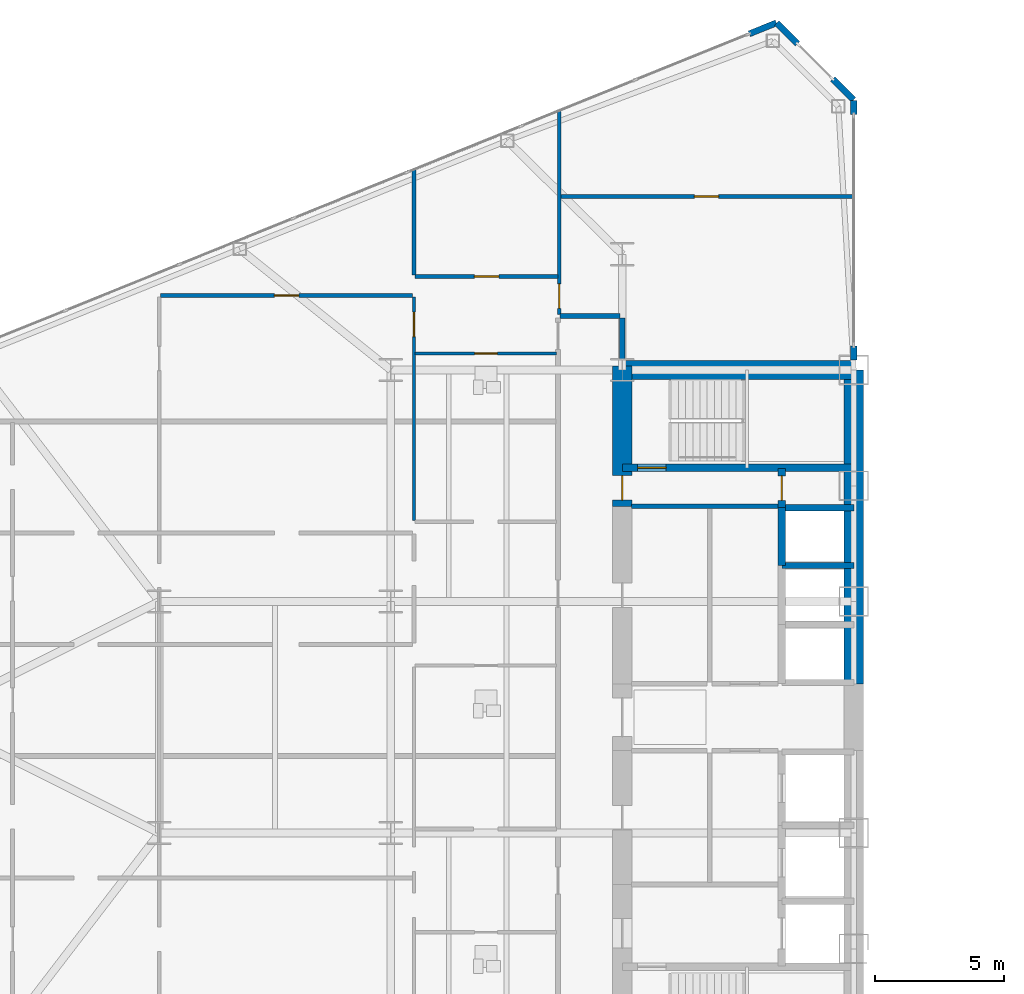
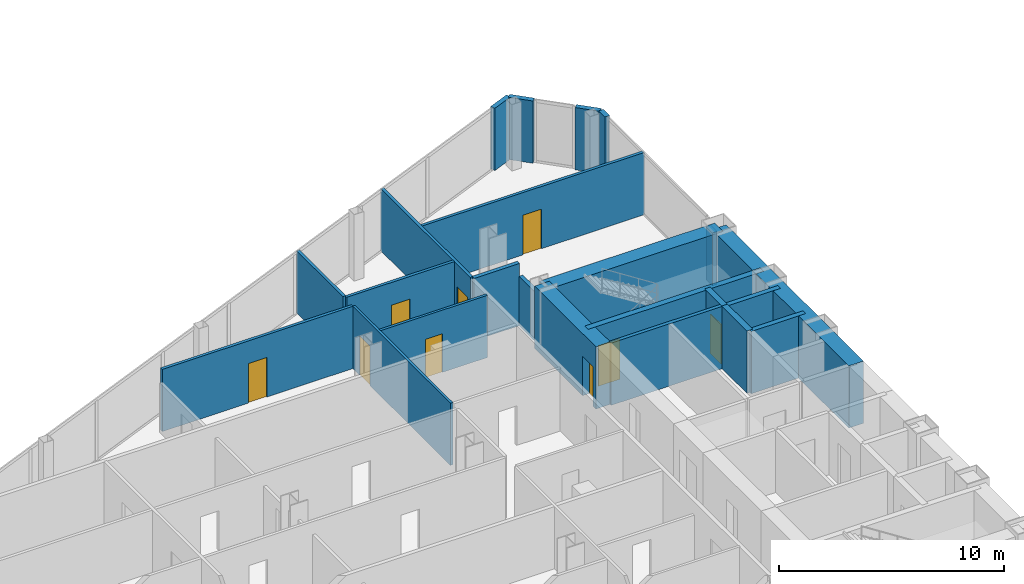
# One storey, part 19 of 25: 23 walls, 9 doors, 9 openings.
"""IFC4 building model written with IfcOpenShell, lengths in metres."""

import ifcopenshell
import ifcopenshell.guid

model = None  # the IFC model being written
_history = None  # IfcOwnerHistory: only IFC2X3 demands one
_inside = {}  # id of a spatial element -> (the spatial element, [elements in it])
_under = {}  # id of a project, library or spatial element -> (it, [spatial elements below it])
_declared = {}  # id of a project -> (the project, [libraries it declares])
_typed = {}  # id of a type object -> (the type object, [elements of that type])
_made_of = {}  # id of a material, layer set ... -> (it, [elements and type objects made of it])


def new_model(schema):
    """Start an empty IFC model of exactly this schema.

    Asked for "IFC4X3", IfcOpenShell would pick the latest addendum, in which some entities
    have other attributes; the version numbers below select the first issue.
    IFC2X3 requires an IfcOwnerHistory on every rooted entity: one is made here for all.
    """
    global model, _history
    if schema == "IFC4X3":
        model = ifcopenshell.file(schema_version=(4, 3, 0, 0))
    else:
        model = ifcopenshell.file(schema=schema)
    _inside.clear()
    _under.clear()
    _declared.clear()
    _typed.clear()
    _made_of.clear()
    _history = None
    if model.schema == "IFC2X3":
        org = make("IfcOrganization", Name="unknown")
        user = make(
            "IfcPersonAndOrganization",
            ThePerson=make("IfcPerson", FamilyName="unknown"),
            TheOrganization=org,
        )
        app = make(
            "IfcApplication",
            ApplicationDeveloper=org,
            Version="unknown",
            ApplicationFullName="unknown",
            ApplicationIdentifier="unknown",
        )
        _history = make(
            "IfcOwnerHistory",
            OwningUser=user,
            OwningApplication=app,
            ChangeAction="ADDED",
            CreationDate=0,
        )
    return model


def make(cls, **values):
    """One entity of the class cls with the attributes given. An attribute that is None is left unset."""
    return model.create_entity(
        cls, **{name: value for name, value in values.items() if value is not None}
    )


def rooted(cls, **values):
    """An entity with a GlobalId (a new one), such as an element, a storey or a relation."""
    return make(cls, GlobalId=ifcopenshell.guid.new(), OwnerHistory=_history, **values)


def si_unit(unit_type, name, prefix=None):
    """IfcSIUnit, for example si_unit("LENGTHUNIT", "METRE", prefix="MILLI")."""
    return make("IfcSIUnit", UnitType=unit_type, Prefix=prefix, Name=name)


def assignment(units):
    """IfcUnitAssignment: the units of a project."""
    return None if units is None else make("IfcUnitAssignment", Units=units)


def point(xyz):
    """IfcCartesianPoint."""
    return None if xyz is None else make("IfcCartesianPoint", Coordinates=xyz)


def direction(xyz):
    """IfcDirection."""
    return None if xyz is None else make("IfcDirection", DirectionRatios=xyz)


def frame(location, z_axis=None, x_axis=None):
    """IfcAxis2Placement3D, a coordinate frame: its origin and axes. An axis left out is left unset."""
    return make(
        "IfcAxis2Placement3D",
        Location=point(location),
        Axis=direction(z_axis),
        RefDirection=direction(x_axis),
    )


def frame_2d(location, x_axis=None):
    """IfcAxis2Placement2D, a coordinate frame in the plane: its origin and x axis."""
    return make(
        "IfcAxis2Placement2D", Location=point(location), RefDirection=direction(x_axis)
    )


def origin():
    """The frame at (0, 0, 0) with its axes left unset."""
    return frame((0.0, 0.0, 0.0))


def place(relative_to, where):
    """IfcLocalPlacement: puts the frame where relative to a parent placement (None: the world)."""
    return make(
        "IfcLocalPlacement", PlacementRelTo=relative_to, RelativePlacement=where
    )


def context(
    kind, dimensions, precision=None, world=None, true_north=None, identifier=None
):
    """IfcGeometricRepresentationContext, for example the 3D "Model" context."""
    return make(
        "IfcGeometricRepresentationContext",
        ContextIdentifier=identifier,
        ContextType=kind,
        CoordinateSpaceDimension=dimensions,
        Precision=precision,
        WorldCoordinateSystem=world,
        TrueNorth=true_north,
    )


def subcontext(parent, identifier, kind, view, scale=None):
    """IfcGeometricRepresentationSubContext, for example "Body" below "Model"."""
    return make(
        "IfcGeometricRepresentationSubContext",
        ContextIdentifier=identifier,
        ContextType=kind,
        ParentContext=parent,
        TargetScale=scale,
        TargetView=view,
    )


def project(units=None, contexts=None):
    """IfcProject with its units and contexts."""
    return rooted(
        "IfcProject",
        Name="project",
        RepresentationContexts=contexts,
        UnitsInContext=assignment(units),
    )


def spatial(cls, under=None, at=None, **own):
    """A site, building, storey or space (cls), placed at a placement, below another one or the project."""
    s = rooted(cls, ObjectPlacement=at, **own)
    if under is not None:
        _under.setdefault(under.id(), (under, []))[1].append(s)
    return s


def profile(cls, at=None, kind="AREA", **sizes):
    """A parametric profile (cls). Its sizes go by their IFC names, for example OverallWidth=200.0."""
    return make(cls, ProfileType=kind, Position=at, **sizes)


def rectangle(**sizes):
    """IfcRectangleProfileDef."""
    return profile("IfcRectangleProfileDef", **sizes)


def extrude(swept, where, along, depth):
    """IfcExtrudedAreaSolid: the profile swept, set in the frame where, extruded along a direction by depth."""
    return make(
        "IfcExtrudedAreaSolid",
        SweptArea=swept,
        Position=where,
        ExtrudedDirection=direction(along),
        Depth=depth,
    )


def shape(context_of_items, identifier, shape_type, items):
    """IfcShapeRepresentation: the items that make up one representation, for example the "Body"."""
    return make(
        "IfcShapeRepresentation",
        ContextOfItems=context_of_items,
        RepresentationIdentifier=identifier,
        RepresentationType=shape_type,
        Items=items,
    )


def source(mapping_origin, context_of_items, identifier, shape_type, items):
    """IfcRepresentationMap: a shape defined once, which mapped items show again and again."""
    return make(
        "IfcRepresentationMap",
        MappingOrigin=mapping_origin,
        MappedRepresentation=shape(context_of_items, identifier, shape_type, items),
    )


def transform(
    local_origin,
    x_axis=None,
    y_axis=None,
    z_axis=None,
    scale=None,
    scale2=None,
    scale3=None,
    uniform=True,
):
    """IfcCartesianTransformationOperator3D, or its non-uniform kind. x_axis, y_axis, z_axis: its Axis1, 2, 3."""
    if uniform:
        return make(
            "IfcCartesianTransformationOperator3D",
            Axis1=direction(x_axis),
            Axis2=direction(y_axis),
            LocalOrigin=point(local_origin),
            Scale=scale,
            Axis3=direction(z_axis),
        )
    return make(
        "IfcCartesianTransformationOperator3DnonUniform",
        Axis1=direction(x_axis),
        Axis2=direction(y_axis),
        LocalOrigin=point(local_origin),
        Scale=scale,
        Axis3=direction(z_axis),
        Scale2=scale2,
        Scale3=scale3,
    )


def mapped(mapping_source, mapping_target):
    """IfcMappedItem: shows the shape of a source again, moved by a transform."""
    return make(
        "IfcMappedItem", MappingSource=mapping_source, MappingTarget=mapping_target
    )


def material(Name=None, Category=None):
    """IfcMaterial."""
    return make("IfcMaterial", Name=Name, Category=Category)


def layer(
    of_material, thickness, ventilated=None, Name=None, Category=None, Priority=None
):
    """IfcMaterialLayer: one layer of a wall or slab, of a material (None: an air gap)."""
    return make(
        "IfcMaterialLayer",
        Material=of_material,
        LayerThickness=thickness,
        IsVentilated=ventilated,
        Name=Name,
        Category=Category,
        Priority=Priority,
    )


def layer_set(layers, Name=None):
    """IfcMaterialLayerSet."""
    return make("IfcMaterialLayerSet", MaterialLayers=layers, LayerSetName=Name)


def made_of(thing, what):
    """Note that an element or type object is made of a material, layer set ...; save() writes the relation."""
    if what is not None:
        _made_of.setdefault(what.id(), (what, []))[1].append(thing)
    return thing


def type_object(cls, material=None, **own):
    """A type object (cls), such as IfcWallType, which elements share."""
    return made_of(rooted(cls, **own), material)


def type_shapes(of_type, sources):
    """Give a type object the sources (RepresentationMaps) that its elements show as mapped items."""
    of_type.RepresentationMaps = sources


def element(
    cls,
    number,
    at=None,
    inside=None,
    cuts=None,
    type_object=None,
    material=None,
    context=None,
    identifier="Body",
    shape_type=None,
    held_by="IfcProductDefinitionShape",
    body=None,
    shapes=None,
    **own,
):
    """One element of the class cls, such as IfcWall. Its Tag is "e" and its number.

    at: its placement. inside: the storey or other place that contains it. cuts: it is an
    opening in that element (IfcRelVoidsElement). A single representation is given by context,
    identifier, shape_type and body (its items); several are given by shapes. held_by: the class
    of the entity that holds the representations. save() writes the other relations.
    """
    e = rooted(cls, Tag="e%d" % number, ObjectPlacement=at, **own)
    if body is not None:
        shapes = [shape(context, identifier, shape_type, body)]
    if shapes is not None:
        e.Representation = make(held_by, Representations=shapes)
    if inside is not None:
        _inside.setdefault(inside.id(), (inside, []))[1].append(e)
    if cuts is not None:
        rooted(
            "IfcRelVoidsElement", RelatingBuildingElement=cuts, RelatedOpeningElement=e
        )
    if type_object is not None:
        _typed.setdefault(type_object.id(), (type_object, []))[1].append(e)
    return made_of(e, material)


def fill(opening, filler):
    """IfcRelFillsElement: the door or window that sits in an opening."""
    return rooted(
        "IfcRelFillsElement",
        RelatingOpeningElement=opening,
        RelatedBuildingElement=filler,
    )


def aggregate(whole, parts):
    """IfcRelAggregates: a whole, such as a stair, and the parts it consists of."""
    return rooted("IfcRelAggregates", RelatingObject=whole, RelatedObjects=parts)


def save(model, path):
    """Write the relations noted so far, then the file.

    IfcRelAggregates (storeys below a building ...), IfcRelContainedInSpatialStructure (elements
    in a storey), IfcRelDefinesByType, IfcRelAssociatesMaterial and IfcRelDeclares: one each for
    every whole, place, type object, material and project.
    """
    for whole, parts in _under.values():
        aggregate(whole, parts)
    for where, things in _inside.values():
        rooted(
            "IfcRelContainedInSpatialStructure",
            RelatedElements=things,
            RelatingStructure=where,
        )
    for kind, things in _typed.values():
        rooted("IfcRelDefinesByType", RelatedObjects=things, RelatingType=kind)
    for what, things in _made_of.values():
        rooted("IfcRelAssociatesMaterial", RelatedObjects=things, RelatingMaterial=what)
    for by, libraries in _declared.values():
        rooted("IfcRelDeclares", RelatingContext=by, RelatedDefinitions=libraries)
    model.write(path)


model = new_model("IFC4")

# Units and contexts
model_context = context("Model", 3, precision=1e-05, world=origin(), true_north=direction((0.0, 1.0)))
body_context = subcontext(model_context, "Body", "Model", "MODEL_VIEW")
ifc_project = project(units=[si_unit("LENGTHUNIT", "METRE"), si_unit("AREAUNIT", "SQUARE_METRE"), si_unit("VOLUMEUNIT", "CUBIC_METRE"), si_unit("PLANEANGLEUNIT", "RADIAN"), si_unit("MASSUNIT", "GRAM", prefix="KILO")], contexts=[model_context])

# Site, building, storey
site_placement = place(None, origin())
site = spatial("IfcSite", under=ifc_project, at=site_placement, CompositionType="ELEMENT")
building_placement = place(site_placement, origin())
building = spatial("IfcBuilding", under=site, at=building_placement, Name="Seokmaru Belvedere", CompositionType="ELEMENT")
storey_placement = place(building_placement, frame((0.0, 0.0, 40.5)))
storey = spatial("IfcBuildingStorey", under=building, at=storey_placement, Name="L10", CompositionType="ELEMENT", Elevation=40.5)

# Wall, opening, door
ifc_material_1 = material(Name="Fire-Rated Gypsum Shaftwall")
ifc_layer_1 = layer(ifc_material_1, 0.14990234375)
ifc_layer_set_1 = layer_set([ifc_layer_1], Name="Fire-Rated Gypsum Shaftwall")
wall_type_1 = type_object("IfcWallType", Name="Apartment Fire-Acoustic Room Partition 150", PredefinedType="PARTITIONING", material=ifc_layer_set_1)
wall_1_placement = place(storey_placement, frame((-54.449951171875, 16.39990234375, 0.0), z_axis=(0.0, 0.0, 1.0), x_axis=(1.0, 0.0, 0.0)))
wall_1 = element("IfcWall", 1, at=wall_1_placement, inside=storey, type_object=wall_type_1, Name="L10 Interior Partition 039", PredefinedType="PARTITIONING", context=body_context, shape_type="SweptSolid", body=[
    extrude(rectangle(XDim=9.800048828125, YDim=0.14990234375, at=frame_2d((4.89990234375, 0.0))), origin(), (0.0, 0.0, 1.0), 3.3798828125),
])
opening_1_placement = place(wall_1_placement, frame((4.425048828125, 0.0, 0.0)))
opening_1 = element("IfcOpeningElement", 2, at=opening_1_placement, cuts=wall_1, Name="Opening D05", PredefinedType="OPENING", context=body_context, shape_type="SweptSolid", body=[
    extrude(rectangle(XDim=0.949951171875, YDim=2.14990234375, at=frame_2d((0.47509765625, 1.074951171875))), frame((0.0, 0.0849609375, 0.0), z_axis=(0.0, -1.0, 0.0), x_axis=(1.0, 0.0, 0.0)), (0.0, 0.0, 1.0), 0.169921875),
])
ifc_material_2 = material(Name="Engineered White Oak Timber", Category="wood")
door_type_1 = type_object("IfcDoorType", Name="Apartment Interior Fire-Rated Oak Door 950x2150", OperationType="NOTDEFINED", PredefinedType="DOOR", material=ifc_material_2)
shared_shape_1 = source(origin(), body_context, "Body", "SweptSolid", [
    extrude(rectangle(XDim=0.949951171875, YDim=2.14990234375, at=frame_2d((0.47509765625, 1.074951171875))), frame((0.0, 0.02490234375, 0.0), z_axis=(0.0, -1.0, 0.0), x_axis=(1.0, 0.0, 0.0)), (0.0, 0.0, 1.0), 0.050048828125),
])
type_shapes(door_type_1, [shared_shape_1])
door_1_placement = place(opening_1_placement, origin())
door_1 = element("IfcDoor", 3, at=door_1_placement, inside=storey, type_object=door_type_1, Name="L10 Interior Door 038", OperationType="SINGLE_SWING_LEFT", OverallHeight=2.14990234375, OverallWidth=0.949951171875, PredefinedType="DOOR", context=body_context, shape_type="MappedRepresentation", body=[
    mapped(shared_shape_1, transform((0.0, 0.0, 0.0), scale=1.0)),
])
fill(opening_1, door_1)

wall_2_placement = place(storey_placement, frame((-44.550048828125, 17.139892578125, 0.0), z_axis=(0.0, 0.0, 1.0), x_axis=(1.0, 0.0, 0.0)))
wall_2 = element("IfcWall", 4, at=wall_2_placement, inside=storey, type_object=wall_type_1, Name="L10 Interior Partition 040", PredefinedType="PARTITIONING", context=body_context, shape_type="SweptSolid", body=[
    extrude(rectangle(XDim=5.550048828125, YDim=0.14990234375, at=frame_2d((2.77490234375, 0.0))), origin(), (0.0, 0.0, 1.0), 3.3798828125),
])
opening_2_placement = place(wall_2_placement, frame((2.300048828125, 0.0, 0.0)))
opening_2 = element("IfcOpeningElement", 5, at=opening_2_placement, cuts=wall_2, Name="Opening D05", PredefinedType="OPENING", context=body_context, shape_type="SweptSolid", body=[
    extrude(rectangle(XDim=0.949951171875, YDim=2.14990234375, at=frame_2d((0.47509765625, 1.074951171875))), frame((0.0, 0.0849609375, 0.0), z_axis=(0.0, -1.0, 0.0), x_axis=(1.0, 0.0, 0.0)), (0.0, 0.0, 1.0), 0.169921875),
])
door_2_placement = place(opening_2_placement, origin())
door_2 = element("IfcDoor", 6, at=door_2_placement, inside=storey, type_object=door_type_1, Name="L10 Interior Door 034", OperationType="SINGLE_SWING_LEFT", OverallHeight=2.14990234375, OverallWidth=0.949951171875, PredefinedType="DOOR", context=body_context, shape_type="MappedRepresentation", body=[
    mapped(shared_shape_1, transform((0.0, 0.0, 0.0), scale=1.0)),
])
fill(opening_2, door_2)

wall_3_placement = place(storey_placement, frame((-38.89990234375, 20.25, 0.0), z_axis=(0.0, 0.0, 1.0), x_axis=(1.0, 0.0, 0.0)))
wall_3 = element("IfcWall", 7, at=wall_3_placement, inside=storey, type_object=wall_type_1, Name="L10 Interior Partition 043", PredefinedType="PARTITIONING", context=body_context, shape_type="SweptSolid", body=[
    extrude(rectangle(XDim=11.434814453125, YDim=0.14990234375, at=frame_2d((5.71728515625, 0.0))), origin(), (0.0, 0.0, 1.0), 3.3798828125),
])
opening_3_placement = place(wall_3_placement, frame((5.199951171875, 0.0, 0.0)))
opening_3 = element("IfcOpeningElement", 8, at=opening_3_placement, cuts=wall_3, Name="Opening D05", PredefinedType="OPENING", context=body_context, shape_type="SweptSolid", body=[
    extrude(rectangle(XDim=0.949951171875, YDim=2.14990234375, at=frame_2d((0.47509765625, 1.074951171875))), frame((0.0, 0.0849609375, 0.0), z_axis=(0.0, -1.0, 0.0), x_axis=(1.0, 0.0, 0.0)), (0.0, 0.0, 1.0), 0.169921875),
])
door_3_placement = place(opening_3_placement, origin())
door_3 = element("IfcDoor", 9, at=door_3_placement, inside=storey, type_object=door_type_1, Name="L10 Interior Door 039", OperationType="SINGLE_SWING_RIGHT", OverallHeight=2.14990234375, OverallWidth=0.949951171875, PredefinedType="DOOR", context=body_context, shape_type="MappedRepresentation", body=[
    mapped(shared_shape_1, transform((0.0, 0.0, 0.0), scale=1.0)),
])
fill(opening_3, door_3)

# Wall
wall_4_placement = place(storey_placement, frame((-44.60009765625, 17.195068359375, 0.0), z_axis=(0.0, 0.0, 1.0), x_axis=(0.0, 1.0, 0.0)))
element("IfcWall", 10, at=wall_4_placement, inside=storey, type_object=wall_type_1, Name="L10 Interior Partition 051", PredefinedType="PARTITIONING", context=body_context, shape_type="SweptSolid", body=[
    extrude(rectangle(XDim=4.1328125, YDim=0.14990234375, at=frame_2d((2.06640625, 0.0))), origin(), (0.0, 0.0, 1.0), 3.3798828125),
])

# Wall, opening, door
wall_5_placement = place(storey_placement, frame((-38.949951171875, 15.64990234375, 0.0), z_axis=(0.0, 0.0, 1.0), x_axis=(0.0, 1.0, 0.0)))
wall_5 = element("IfcWall", 11, at=wall_5_placement, inside=storey, type_object=wall_type_1, Name="L10 Interior Partition 054", PredefinedType="PARTITIONING", context=body_context, shape_type="SweptSolid", body=[
    extrude(rectangle(XDim=7.965087890625, YDim=0.14990234375, at=frame_2d((3.982421875, 0.0))), origin(), (0.0, 0.0, 1.0), 3.3798828125),
])
opening_4_placement = place(wall_5_placement, frame((0.24755859375, 0.0, 0.0)))
opening_4 = element("IfcOpeningElement", 12, at=opening_4_placement, cuts=wall_5, Name="Opening D05", PredefinedType="OPENING", context=body_context, shape_type="SweptSolid", body=[
    extrude(rectangle(XDim=0.949951171875, YDim=2.14990234375, at=frame_2d((0.47509765625, 1.074951171875))), frame((0.0, 0.0849609375, 0.0), z_axis=(0.0, -1.0, 0.0), x_axis=(1.0, 0.0, 0.0)), (0.0, 0.0, 1.0), 0.169921875),
])
door_4_placement = place(opening_4_placement, origin())
door_4 = element("IfcDoor", 13, at=door_4_placement, inside=storey, type_object=door_type_1, Name="L10 Interior Door 036", OperationType="SINGLE_SWING_LEFT", OverallHeight=2.14990234375, OverallWidth=0.949951171875, PredefinedType="DOOR", context=body_context, shape_type="MappedRepresentation", body=[
    mapped(shared_shape_1, transform((0.0, 0.0, 0.0), scale=1.0)),
])
fill(opening_4, door_4)

# Walls
ifc_layer_2 = layer(ifc_material_1, 0.179931640625)
ifc_layer_set_2 = layer_set([ifc_layer_2], Name="Fire-Rated Gypsum Shaftwall")
wall_type_2 = type_object("IfcWallType", Name="Core Service Fire Partition 180", PredefinedType="PARTITIONING", material=ifc_layer_set_2)
wall_6_placement = place(storey_placement, frame((-36.14990234375, 8.199951171875, 0.0), z_axis=(0.0, 0.0, 1.0), x_axis=(1.0, 0.0, 0.0)))
element("IfcWall", 14, at=wall_6_placement, inside=storey, type_object=wall_type_2, Name="L10 West Smokeproof Vestibule Partition", PredefinedType="PARTITIONING", context=body_context, shape_type="SweptSolid", body=[
    extrude(rectangle(XDim=5.699951171875, YDim=0.179931640625, at=frame_2d((2.85009765625, 0.0))), origin(), (0.0, 0.0, 1.0), 3.3798828125),
])
ifc_material_3 = material(Name="Concrete C50 (50 MPa)", Category="concrete")
ifc_layer_3 = layer(ifc_material_3, 0.25)
ifc_layer_set_3 = layer_set([ifc_layer_3], Name="Concrete C50 (50 MPa)")
wall_type_3 = type_object("IfcWallType", Name="Hoistway Transverse Concrete Divider Wall 250", PredefinedType="SHEAR", material=ifc_layer_set_3)
for number, where, z_axis, x_axis, name in (
    (15, (-30.300048828125, 5.89990234375, 0.0), (0.0, 0.0, 1.0), (1.0, 0.0, 0.0), "L10 West Hoistway Divider Core Wall 6"),
    (16, (-30.300048828125, 8.14990234375, 0.0), (0.0, 0.0, 1.0), (1.0, 0.0, 0.0), "L10 West Hoistway Divider Core Wall 7"),
):
    element("IfcWall", number, at=place(storey_placement, frame(where, z_axis=z_axis, x_axis=x_axis)), inside=storey, type_object=wall_type_3, Name=name, PredefinedType="SHEAR", context=body_context, shape_type="SweptSolid", body=[
        extrude(rectangle(XDim=2.800048828125, YDim=0.25, at=frame_2d((1.39990234375, 0.0))), origin(), (0.0, 0.0, 1.0), 3.3798828125),
    ])
ifc_layer_4 = layer(ifc_material_1, 0.199951171875)
ifc_layer_set_4 = layer_set([ifc_layer_4], Name="Fire-Rated Gypsum Shaftwall")
wall_type_4 = type_object("IfcWallType", Name="Inter-Tenancy Fire Compartment Partition 200", PredefinedType="PARTITIONING", material=ifc_layer_set_4)
wall_7_placement = place(storey_placement, frame((-38.9150390625, 15.60009765625, 0.0), z_axis=(0.0, 0.0, 1.0), x_axis=(1.0, 0.0, 0.0)))
element("IfcWall", 17, at=wall_7_placement, inside=storey, type_object=wall_type_4, Name="L10 Interior Partition 037", PredefinedType="PARTITIONING", context=body_context, shape_type="SweptSolid", body=[
    extrude(rectangle(XDim=2.330078125, YDim=0.199951171875, at=frame_2d((1.1650390625, 0.0))), origin(), (0.0, 0.0, 1.0), 3.3798828125),
])
wall_8_placement = place(storey_placement, frame((-36.5, 13.8798828125, 0.0), z_axis=(0.0, 0.0, 1.0), x_axis=(0.0, 1.0, 0.0)))
element("IfcWall", 18, at=wall_8_placement, inside=storey, type_object=wall_type_4, Name="L10 Interior Partition 056", PredefinedType="PARTITIONING", context=body_context, shape_type="SweptSolid", body=[
    extrude(rectangle(XDim=1.635009765625, YDim=0.199951171875, at=frame_2d((0.8173828125, 0.0))), origin(), (0.0, 0.0, 1.0), 2.679931640625),
])

# Wall, opening, door
ifc_layer_5 = layer(ifc_material_3, 0.300048828125)
ifc_layer_set_5 = layer_set([ifc_layer_5], Name="Concrete C50 (50 MPa)")
wall_type_5 = type_object("IfcWallType", Name="Internal Core Stair and Hoistway Wall 300", PredefinedType="SHEAR", material=ifc_layer_set_5)
wall_9_placement = place(storey_placement, frame((-36.5, 9.699951171875, 0.0), z_axis=(0.0, 0.0, 1.0), x_axis=(1.0, 0.0, 0.0)))
wall_9 = element("IfcWall", 19, at=wall_9_placement, inside=storey, type_object=wall_type_5, Name="L10 West Stair ST-2 Enclosure Wall", PredefinedType="SHEAR", context=body_context, shape_type="SweptSolid", body=[
    extrude(rectangle(XDim=9.0, YDim=0.300048828125, at=frame_2d((4.5, 0.0))), origin(), (0.0, 0.0, 1.0), 3.3798828125),
])
opening_5_placement = place(wall_9_placement, frame((0.60009765625, 0.0, 0.0)))
opening_5 = element("IfcOpeningElement", 20, at=opening_5_placement, cuts=wall_9, Name="Opening D01", PredefinedType="OPENING", context=body_context, shape_type="SweptSolid", body=[
    extrude(rectangle(XDim=1.10009765625, YDim=2.199951171875, at=frame_2d((0.550048828125, 1.10009765625))), frame((0.0, 0.16015625, 0.0), z_axis=(0.0, -1.0, 0.0), x_axis=(1.0, 0.0, 0.0)), (0.0, 0.0, 1.0), 0.320068359375),
])
ifc_material_4 = material(Name="Fire-Rated Steel Leaf", Category="steel")
door_type_2 = type_object("IfcDoorType", Name="Special Escape Stair Smokeproof Fire Door 1100x2200", OperationType="NOTDEFINED", PredefinedType="DOOR", material=ifc_material_4)
shared_shape_2 = source(origin(), body_context, "Body", "SweptSolid", [
    extrude(rectangle(XDim=1.10009765625, YDim=2.199951171875, at=frame_2d((0.550048828125, 1.10009765625))), frame((0.0, 0.02490234375, 0.0), z_axis=(0.0, -1.0, 0.0), x_axis=(1.0, 0.0, 0.0)), (0.0, 0.0, 1.0), 0.050048828125),
])
type_shapes(door_type_2, [shared_shape_2])
door_5_placement = place(opening_5_placement, origin())
door_5 = element("IfcDoor", 21, at=door_5_placement, inside=storey, type_object=door_type_2, Name="L10 West Special Escape Stair ST-2 Door", OperationType="SINGLE_SWING_RIGHT", OverallHeight=2.199951171875, OverallWidth=1.10009765625, PredefinedType="DOOR", context=body_context, shape_type="MappedRepresentation", body=[
    mapped(shared_shape_2, transform((0.0, 0.0, 0.0), scale=1.0)),
])
fill(opening_5, door_5)

# Wall
wall_10_placement = place(storey_placement, frame((-30.300048828125, 5.89990234375, 0.0), z_axis=(0.0, 0.0, 1.0), x_axis=(0.0, 1.0, 0.0)))
element("IfcWall", 22, at=wall_10_placement, inside=storey, type_object=wall_type_5, Name="L10 West North Hoistway Wall OBS", PredefinedType="SHEAR", context=body_context, shape_type="SweptSolid", body=[
    extrude(rectangle(XDim=2.25, YDim=0.300048828125, at=frame_2d((1.125, 0.0))), origin(), (0.0, 0.0, 1.0), 3.3798828125),
])

# Wall, opening, door
wall_11_placement = place(storey_placement, frame((-30.300048828125, 8.14990234375, 0.0), z_axis=(0.0, 0.0, 1.0), x_axis=(0.0, 1.0, 0.0)))
wall_11 = element("IfcWall", 23, at=wall_11_placement, inside=storey, type_object=wall_type_5, Name="L10 West Electrical Riser Front Wall", PredefinedType="SHEAR", context=body_context, shape_type="SweptSolid", body=[
    extrude(rectangle(XDim=1.530029296875, YDim=0.300048828125, at=frame_2d((0.76513671875, 0.0))), origin(), (0.0, 0.0, 1.0), 3.3798828125),
])
opening_6_placement = place(wall_11_placement, frame((0.284912109375, 0.0, 0.0)))
opening_6 = element("IfcOpeningElement", 24, at=opening_6_placement, cuts=wall_11, Name="Opening D04", PredefinedType="OPENING", context=body_context, shape_type="SweptSolid", body=[
    extrude(rectangle(XDim=0.949951171875, YDim=2.14990234375, at=frame_2d((0.47509765625, 1.074951171875))), frame((0.0, 0.16015625, 0.0), z_axis=(0.0, -1.0, 0.0), x_axis=(1.0, 0.0, 0.0)), (0.0, 0.0, 1.0), 0.320068359375),
])
door_type_3 = type_object("IfcDoorType", Name="Core Service Room Fire Door 950x2150", OperationType="NOTDEFINED", PredefinedType="DOOR", material=ifc_material_4)
shared_shape_3 = source(origin(), body_context, "Body", "SweptSolid", [
    extrude(rectangle(XDim=0.949951171875, YDim=2.14990234375, at=frame_2d((0.47509765625, 1.074951171875))), frame((0.0, 0.02490234375, 0.0), z_axis=(0.0, -1.0, 0.0), x_axis=(1.0, 0.0, 0.0)), (0.0, 0.0, 1.0), 0.050048828125),
])
type_shapes(door_type_3, [shared_shape_3])
door_6_placement = place(opening_6_placement, origin())
door_6 = element("IfcDoor", 25, at=door_6_placement, inside=storey, type_object=door_type_3, Name="L10 West Electrical Riser Access Door", OperationType="SINGLE_SWING_LEFT", OverallHeight=2.14990234375, OverallWidth=0.949951171875, PredefinedType="DOOR", context=body_context, shape_type="MappedRepresentation", body=[
    mapped(shared_shape_3, transform((0.0, 0.0, 0.0), scale=1.0)),
])
fill(opening_6, door_6)

# Walls
ifc_material_5 = material(Name="Concrete C60 (60 MPa)", Category="concrete")
ifc_layer_6 = layer(ifc_material_5, 0.75)
ifc_layer_set_6 = layer_set([ifc_layer_6], Name="Concrete C60 (60 MPa)")
wall_type_6 = type_object("IfcWallType", Name="Lower Tower Reinforced Concrete Core Wall 750", PredefinedType="SHEAR", material=ifc_layer_set_6)
wall_12_placement = place(storey_placement, frame((-27.5, 1.300048828125, 0.0), z_axis=(0.0, 0.0, 1.0), x_axis=(0.0, 1.0, 0.0)))
element("IfcWall", 26, at=wall_12_placement, inside=storey, type_object=wall_type_6, Name="L10 West Portal Spine Core Wall North", PredefinedType="SHEAR", context=body_context, shape_type="SweptSolid", body=[
    extrude(rectangle(XDim=12.199951171875, YDim=0.75, at=frame_2d((6.10009765625, 0.0))), origin(), (0.0, 0.0, 1.0), 3.3798828125),
])
wall_13_placement = place(storey_placement, frame((-36.5, 13.5, 0.0), z_axis=(0.0, 0.0, 1.0), x_axis=(1.0, 0.0, 0.0)))
element("IfcWall", 27, at=wall_13_placement, inside=storey, type_object=wall_type_6, Name="L10 West North Core Wall", PredefinedType="SHEAR", context=body_context, shape_type="SweptSolid", body=[
    extrude(rectangle(XDim=9.0, YDim=0.75, at=frame_2d((4.5, 0.0))), origin(), (0.0, 0.0, 1.0), 3.3798828125),
])

# Wall, opening, door
wall_14_placement = place(storey_placement, frame((-36.5, 8.199951171875, 0.0), z_axis=(0.0, 0.0, 1.0), x_axis=(0.0, 1.0, 0.0)))
wall_14 = element("IfcWall", 28, at=wall_14_placement, inside=storey, type_object=wall_type_6, Name="L10 West West Core Wall VST", PredefinedType="SHEAR", context=body_context, shape_type="SweptSolid", body=[
    extrude(rectangle(XDim=5.449951171875, YDim=0.75, at=frame_2d((2.72509765625, 0.0))), origin(), (0.0, 0.0, 1.0), 3.3798828125),
])
opening_7_placement = place(wall_14_placement, frame((0.2451171875, 0.0, 0.0)))
opening_7 = element("IfcOpeningElement", 29, at=opening_7_placement, cuts=wall_14, Name="Opening D04", PredefinedType="OPENING", context=body_context, shape_type="SweptSolid", body=[
    extrude(rectangle(XDim=0.949951171875, YDim=2.14990234375, at=frame_2d((0.47509765625, 1.074951171875))), frame((0.0, 0.385009765625, 0.0), z_axis=(0.0, -1.0, 0.0), x_axis=(1.0, 0.0, 0.0)), (0.0, 0.0, 1.0), 0.77001953125),
])
door_7_placement = place(opening_7_placement, frame((0.949951171875, 0.0, 0.0), z_axis=(0.0, 0.0, 1.0), x_axis=(-1.0, 0.0, 0.0)))
door_7 = element("IfcDoor", 30, at=door_7_placement, inside=storey, type_object=door_type_3, Name="L10 West Smokeproof Vestibule Door", OperationType="SINGLE_SWING_RIGHT", OverallHeight=2.14990234375, OverallWidth=0.949951171875, PredefinedType="DOOR", context=body_context, shape_type="MappedRepresentation", body=[
    mapped(shared_shape_3, transform((0.0, 0.0, 0.0), scale=1.0)),
])
fill(opening_7, door_7)

ifc_layer_7 = layer(ifc_material_1, 0.1298828125)
ifc_layer_set_7 = layer_set([ifc_layer_7], Name="Fire-Rated Gypsum Shaftwall")
wall_type_7 = type_object("IfcWallType", Name="Moisture-Resistant Fire-Rated Bathroom Partition 130", PredefinedType="PARTITIONING", material=ifc_layer_set_7)
wall_15_placement = place(storey_placement, frame((-44.550048828125, 14.139892578125, 0.0), z_axis=(0.0, 0.0, 1.0), x_axis=(1.0, 0.0, 0.0)))
wall_15 = element("IfcWall", 31, at=wall_15_placement, inside=storey, type_object=wall_type_7, Name="L10 Interior Partition 034", PredefinedType="PARTITIONING", context=body_context, shape_type="SweptSolid", body=[
    extrude(rectangle(XDim=5.5, YDim=0.1298828125, at=frame_2d((2.75, 0.0))), origin(), (0.0, 0.0, 1.0), 3.3798828125),
])
opening_8_placement = place(wall_15_placement, frame((2.31005859375, 0.0, 0.0)))
opening_8 = element("IfcOpeningElement", 32, at=opening_8_placement, cuts=wall_15, Name="Opening D06", PredefinedType="OPENING", context=body_context, shape_type="SweptSolid", body=[
    extrude(rectangle(XDim=0.8798828125, YDim=2.10009765625, at=frame_2d((0.43994140625, 1.050048828125))), frame((0.0, 0.074951171875, 0.0), z_axis=(0.0, -1.0, 0.0), x_axis=(1.0, 0.0, 0.0)), (0.0, 0.0, 1.0), 0.14990234375),
])
door_type_4 = type_object("IfcDoorType", Name="Bathroom and Restroom Fire-Rated Door 880x2100", OperationType="NOTDEFINED", PredefinedType="DOOR", material=ifc_material_2)
shared_shape_4 = source(origin(), body_context, "Body", "SweptSolid", [
    extrude(rectangle(XDim=0.8798828125, YDim=2.10009765625, at=frame_2d((0.43994140625, 1.050048828125))), frame((0.0, 0.02490234375, 0.0), z_axis=(0.0, -1.0, 0.0), x_axis=(1.0, 0.0, 0.0)), (0.0, 0.0, 1.0), 0.050048828125),
])
type_shapes(door_type_4, [shared_shape_4])
door_8_placement = place(opening_8_placement, origin())
door_8 = element("IfcDoor", 33, at=door_8_placement, inside=storey, type_object=door_type_4, Name="L10 Interior Door 033", OperationType="SINGLE_SWING_LEFT", OverallHeight=2.10009765625, OverallWidth=0.8798828125, PredefinedType="DOOR", context=body_context, shape_type="MappedRepresentation", body=[
    mapped(shared_shape_4, transform((0.0, 0.0, 0.0), scale=1.0)),
])
fill(opening_8, door_8)

wall_16_placement = place(storey_placement, frame((-44.60009765625, 7.652099609375, 0.0), z_axis=(0.0, 0.0, 1.0), x_axis=(0.0, 1.0, 0.0)))
wall_16 = element("IfcWall", 34, at=wall_16_placement, inside=storey, type_object=wall_type_7, Name="L10 Interior Partition 050", PredefinedType="PARTITIONING", context=body_context, shape_type="SweptSolid", body=[
    extrude(rectangle(XDim=8.69384765625, YDim=0.1298828125, at=frame_2d((4.346923828125, 0.0))), origin(), (0.0, 0.0, 1.0), 3.3798828125),
])
opening_9_placement = place(wall_16_placement, frame((7.143798828125, 0.0, 0.0)))
opening_9 = element("IfcOpeningElement", 35, at=opening_9_placement, cuts=wall_16, Name="Opening D05", PredefinedType="OPENING", context=body_context, shape_type="SweptSolid", body=[
    extrude(rectangle(XDim=0.949951171875, YDim=2.14990234375, at=frame_2d((0.47509765625, 1.074951171875))), frame((0.0, 0.074951171875, 0.0), z_axis=(0.0, -1.0, 0.0), x_axis=(1.0, 0.0, 0.0)), (0.0, 0.0, 1.0), 0.14990234375),
])
door_9_placement = place(opening_9_placement, origin())
door_9 = element("IfcDoor", 36, at=door_9_placement, inside=storey, type_object=door_type_1, Name="L10 Interior Door 035", OperationType="SINGLE_SWING_RIGHT", OverallHeight=2.14990234375, OverallWidth=0.949951171875, PredefinedType="DOOR", context=body_context, shape_type="MappedRepresentation", body=[
    mapped(shared_shape_1, transform((0.0, 0.0, 0.0), scale=1.0)),
])
fill(opening_9, door_9)

# Walls
ifc_material_6 = material(Name="Anodised Bronze Aluminium", Category="aluminium")
ifc_layer_8 = layer(ifc_material_6, 0.239990234375)
ifc_layer_set_8 = layer_set([ifc_layer_8], Name="Anodised Bronze Aluminium")
wall_type_8 = type_object("IfcWallType", Name="Tower Corner Spandrel Closure Wall 240", PredefinedType="SOLIDWALL", material=ifc_layer_set_8)
wall_17_placement = place(storey_placement, frame((-27.5, 13.8798828125, 0.0), z_axis=(0.0, 0.0, 1.0), x_axis=(0.0, 1.0, 0.0)))
element("IfcWall", 37, at=wall_17_placement, inside=storey, type_object=wall_type_8, Name="L10 W Spine Closure Pier 2A", PredefinedType="SOLIDWALL", context=body_context, shape_type="SweptSolid", body=[
    extrude(rectangle(XDim=0.550048828125, YDim=0.239990234375, at=frame_2d((0.27490234375, 0.0))), origin(), (0.0, 0.0, 1.0), 2.8798828125),
])
wall_18_placement = place(storey_placement, frame((-27.5, 23.429931640625, 0.0), z_axis=(0.0, 0.0, 1.0), x_axis=(0.0, 1.0, 0.0)))
element("IfcWall", 38, at=wall_18_placement, inside=storey, type_object=wall_type_8, Name="L10 W Spine Closure Pier 2B", PredefinedType="SOLIDWALL", context=body_context, shape_type="SweptSolid", body=[
    extrude(rectangle(XDim=0.550048828125, YDim=0.239990234375, at=frame_2d((0.27490234375, 0.0))), origin(), (0.0, 0.0, 1.0), 3.3798828125),
])
for number, where, z_axis, x_axis, name in (
    (39, (-27.507080078125, 24.007080078125, 0.0), (0.0, 0.0, 1.0), (-0.707106781187, 0.707106781187, 0.0), "L10 W Corner Closure Pier 2A"),
    (40, (-29.686767578125, 26.186767578125, 0.0), (0.0, 0.0, 1.0), (-0.707106781187, 0.707106781187, 0.0), "L10 W Corner Closure Pier 2B"),
):
    element("IfcWall", number, at=place(storey_placement, frame(where, z_axis=z_axis, x_axis=x_axis)), inside=storey, type_object=wall_type_8, Name=name, PredefinedType="SOLIDWALL", context=body_context, shape_type="SweptSolid", body=[
        extrude(rectangle(XDim=1.14013671875, YDim=0.239990234375, at=frame_2d((0.570068359375, 0.0))), origin(), (0.0, 0.0, 1.0), 3.3798828125),
    ])
wall_19_placement = place(storey_placement, frame((-30.50927734375, 26.99609375, 0.0), z_axis=(0.0, 0.0, 1.0), x_axis=(-0.927007103665, -0.375043770452, 0.0)))
element("IfcWall", 41, at=wall_19_placement, inside=storey, type_object=wall_type_8, Name="L10 W Corner Closure Pier 3A", PredefinedType="SOLIDWALL", context=body_context, shape_type="SweptSolid", body=[
    extrude(rectangle(XDim=1.139892578125, YDim=0.239990234375, at=frame_2d((0.56982421875, 0.0))), origin(), (0.0, 0.0, 1.0), 3.3798828125),
])

save(model, "model.ifc")
